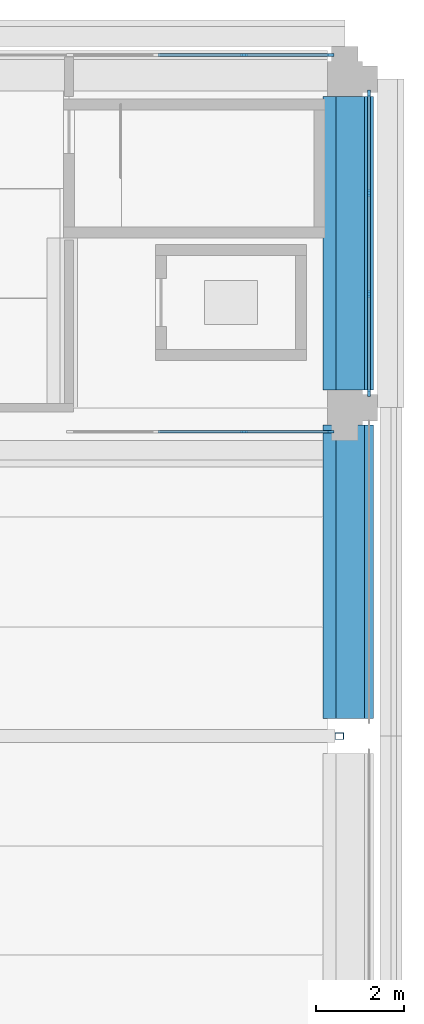
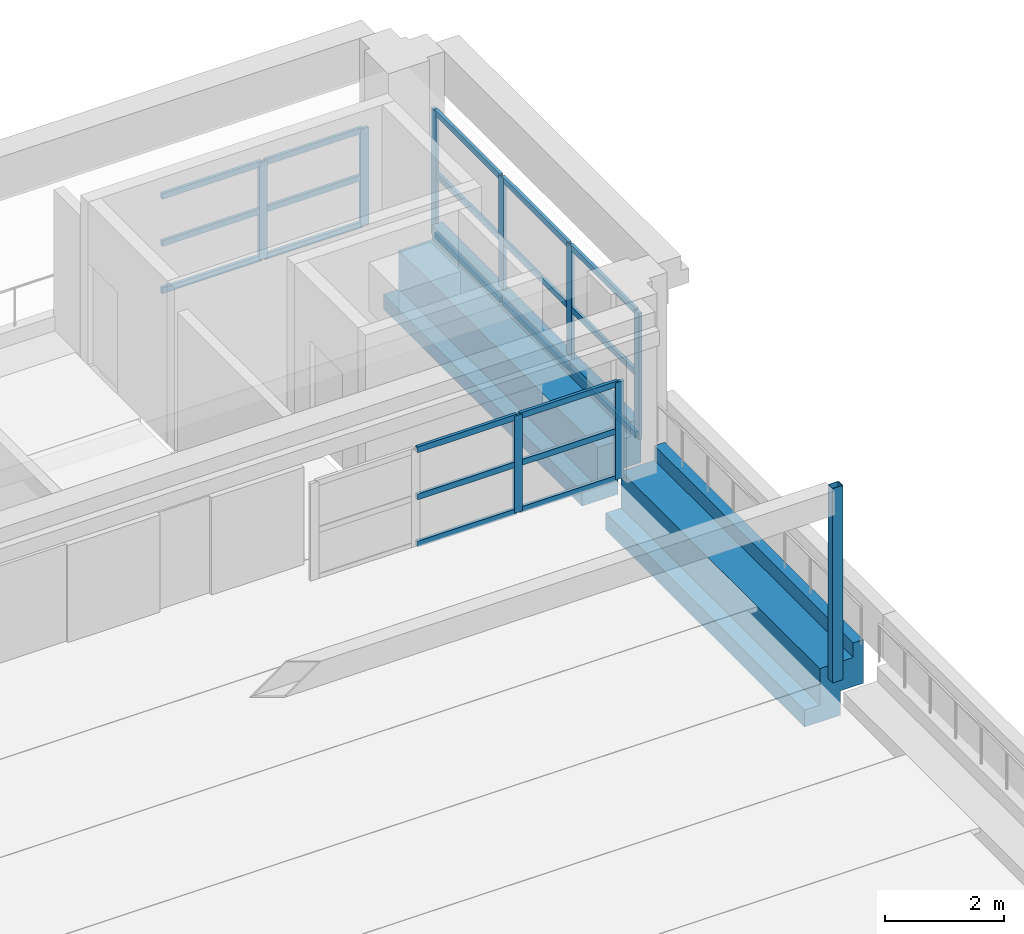
# One storey, part 33 of 62: 30 members, 2 beams, 3 elements without a shape of their own.
"""IFC4 building model written with IfcOpenShell, lengths in metres."""

from ifc_helpers import new_model, si_unit, direction, frame, origin, origin_2d, place, context, subcontext, project, spatial, polyline, rectangle, hollow_rectangle, outline, extrude, material, layer, layer_set, material_profile, profile_set, type_object, element, aggregate, save


model = new_model("IFC4")

# Units and contexts
model_context = context("Model", 3, precision=1e-05, world=origin(), true_north=direction((0.0, 1.0)))
body_context = subcontext(model_context, "Body", "Model", "MODEL_VIEW")
ifc_project = project(units=[si_unit("LENGTHUNIT", "METRE"), si_unit("AREAUNIT", "SQUARE_METRE"), si_unit("VOLUMEUNIT", "CUBIC_METRE"), si_unit("PLANEANGLEUNIT", "RADIAN"), si_unit("MASSUNIT", "GRAM", prefix="KILO")], contexts=[model_context])

# Site, building, storey
site_placement = place(None, origin())
site = spatial("IfcSite", under=ifc_project, at=site_placement, CompositionType="ELEMENT")
building_placement = place(site_placement, origin())
building = spatial("IfcBuilding", under=site, at=building_placement, Name="Cour d'Honneur Mobility Palace", CompositionType="ELEMENT")
storey_placement = place(building_placement, frame((0.0, 0.0, 19.300048828125)))
storey = spatial("IfcBuildingStorey", under=building, at=storey_placement, Name="L05", CompositionType="ELEMENT", Elevation=19.300048828125)

# Curtain wall, members
ifc_material_1 = material(Name="Aluminium and glass", Category="aluminium")
ifc_layer = layer(ifc_material_1, 0.10009765625)
ifc_layer_set = layer_set([ifc_layer], Name="Aluminium and glass")
curtain_wall_type = type_object("IfcCurtainWallType", Name="Curtain wall run", PredefinedType="NOTDEFINED", material=ifc_layer_set)
curtain_wall_1_placement = place(storey_placement, origin())
curtain_wall_1 = element("IfcCurtainWall", 1, at=curtain_wall_1_placement, inside=storey, type_object=curtain_wall_type, Name="Curtain wall CW-121", PredefinedType="NOTDEFINED")
ifc_material_2 = material(Name="Aluminium", Category="aluminium")
ifc_material_profile_1 = material_profile(ifc_material_2, rectangle(XDim=0.06005859375, YDim=0.159912109375, at=origin_2d()), Name="Curtain wall mullion")
ifc_profile_set_1 = profile_set([ifc_material_profile_1], Name="Aluminium")
member_type_1 = type_object("IfcMemberType", Name="Curtain wall mullion", PredefinedType="MULLION", material=ifc_profile_set_1)
member_1_placement = place(storey_placement, frame((161.969970703125, 115.449951171875, 0.0), z_axis=(0.0, 0.0, 1.0), x_axis=(0.0, -1.0, 0.0)))
member_1 = element("IfcMember", 2, at=member_1_placement, type_object=member_type_1, Name="CW-121 mullion 1", PredefinedType="MULLION", context=body_context, shape_type="SweptSolid", body=[
    extrude(rectangle(XDim=0.06005859375, YDim=0.159912109375, at=origin_2d()), origin(), (0.0, 0.0, 1.0), 2.0),
])
member_2_placement = place(storey_placement, frame((160.0, 115.449951171875, 0.0), z_axis=(0.0, 0.0, 1.0), x_axis=(0.0, -1.0, 0.0)))
member_2 = element("IfcMember", 3, at=member_2_placement, type_object=member_type_1, Name="CW-121 mullion 2", PredefinedType="MULLION", context=body_context, shape_type="SweptSolid", body=[
    extrude(rectangle(XDim=0.06005859375, YDim=0.159912109375, at=origin_2d()), origin(), (0.0, 0.0, 1.0), 2.0),
])

curtain_wall_2_placement = place(storey_placement, origin())
curtain_wall_2 = element("IfcCurtainWall", 4, at=curtain_wall_2_placement, inside=storey, type_object=curtain_wall_type, Name="Curtain wall CW-122", PredefinedType="NOTDEFINED")
member_3_placement = place(storey_placement, frame((160.0, 106.85009765625, 0.0), z_axis=(0.0, 0.0, 1.0), x_axis=(0.0, 1.0, 0.0)))
member_3 = element("IfcMember", 5, at=member_3_placement, type_object=member_type_1, Name="CW-122 mullion 3", PredefinedType="MULLION", context=body_context, shape_type="SweptSolid", body=[
    extrude(rectangle(XDim=0.06005859375, YDim=0.159912109375, at=origin_2d()), origin(), (0.0, 0.0, 1.0), 2.0),
])
member_4_placement = place(storey_placement, frame((161.969970703125, 106.85009765625, 0.0), z_axis=(0.0, 0.0, 1.0), x_axis=(0.0, 1.0, 0.0)))
member_4 = element("IfcMember", 6, at=member_4_placement, type_object=member_type_1, Name="CW-122 mullion 4", PredefinedType="MULLION", context=body_context, shape_type="SweptSolid", body=[
    extrude(rectangle(XDim=0.06005859375, YDim=0.159912109375, at=origin_2d()), origin(), (0.0, 0.0, 1.0), 2.0),
])

curtain_wall_3_placement = place(storey_placement, origin())
curtain_wall_3 = element("IfcCurtainWall", 7, at=curtain_wall_3_placement, inside=storey, type_object=curtain_wall_type, Name="Curtain wall CW-123", PredefinedType="NOTDEFINED")
member_5_placement = place(storey_placement, frame((162.85009765625, 107.72998046875, 0.0), z_axis=(0.0, 0.0, 1.0), x_axis=(-1.0, 0.0, 0.0)))
member_5 = element("IfcMember", 8, at=member_5_placement, type_object=member_type_1, Name="CW-123 mullion 1", PredefinedType="MULLION", context=body_context, shape_type="SweptSolid", body=[
    extrude(rectangle(XDim=0.06005859375, YDim=0.159912109375, at=origin_2d()), origin(), (0.0, 0.0, 1.0), 2.599853515625),
])
member_6_placement = place(storey_placement, frame((162.85009765625, 110.0, 0.0), z_axis=(0.0, 0.0, 1.0), x_axis=(-1.0, 0.0, 0.0)))
member_6 = element("IfcMember", 9, at=member_6_placement, type_object=member_type_1, Name="CW-123 mullion 2", PredefinedType="MULLION", context=body_context, shape_type="SweptSolid", body=[
    extrude(rectangle(XDim=0.06005859375, YDim=0.159912109375, at=origin_2d()), origin(), (0.0, 0.0, 1.0), 2.599853515625),
])
member_7_placement = place(storey_placement, frame((162.85009765625, 112.300048828125, 0.0), z_axis=(0.0, 0.0, 1.0), x_axis=(-1.0, 0.0, 0.0)))
member_7 = element("IfcMember", 10, at=member_7_placement, type_object=member_type_1, Name="CW-123 mullion 3", PredefinedType="MULLION", context=body_context, shape_type="SweptSolid", body=[
    extrude(rectangle(XDim=0.06005859375, YDim=0.159912109375, at=origin_2d()), origin(), (0.0, 0.0, 1.0), 2.599853515625),
])
member_8_placement = place(storey_placement, frame((162.85009765625, 114.570068359375, 0.0), z_axis=(0.0, 0.0, 1.0), x_axis=(-1.0, 0.0, 0.0)))
member_8 = element("IfcMember", 11, at=member_8_placement, type_object=member_type_1, Name="CW-123 mullion 4", PredefinedType="MULLION", context=body_context, shape_type="SweptSolid", body=[
    extrude(rectangle(XDim=0.06005859375, YDim=0.159912109375, at=origin_2d()), origin(), (0.0, 0.0, 1.0), 2.599853515625),
])

# Member
ifc_material_3 = material(Name="Aluminium", Category="aluminium")
ifc_material_profile_2 = material_profile(ifc_material_3, rectangle(XDim=0.06005859375, YDim=0.1201171875, at=origin_2d()), Name="Curtain wall transom")
ifc_profile_set_2 = profile_set([ifc_material_profile_2], Name="Aluminium")
member_type_2 = type_object("IfcMemberType", Name="Curtain wall transom", PredefinedType="USERDEFINED", material=ifc_profile_set_2)
member_9_placement = place(storey_placement, frame((161.93994140625, 115.449951171875, 0.030029296875), z_axis=(-1.0, 0.0, 0.0), x_axis=(0.0, -1.0, 0.0)))
member_9 = element("IfcMember", 12, at=member_9_placement, type_object=member_type_2, Name="CW-121 transom 1.1", ObjectType="TRANSOM", PredefinedType="USERDEFINED", context=body_context, shape_type="SweptSolid", body=[
    extrude(rectangle(XDim=0.06005859375, YDim=0.1201171875, at=origin_2d()), origin(), (0.0, 0.0, 1.0), 1.909912109375),
])

member_10_placement = place(storey_placement, frame((161.93994140625, 115.449951171875, 1.0), z_axis=(-1.0, 0.0, 0.0), x_axis=(0.0, -1.0, 0.0)))
member_10 = element("IfcMember", 13, at=member_10_placement, type_object=member_type_2, Name="CW-121 transom 1.2", ObjectType="TRANSOM", PredefinedType="USERDEFINED", context=body_context, shape_type="SweptSolid", body=[
    extrude(rectangle(XDim=0.06005859375, YDim=0.1201171875, at=origin_2d()), origin(), (0.0, 0.0, 1.0), 1.909912109375),
])

member_11_placement = place(storey_placement, frame((161.93994140625, 115.449951171875, 1.969970703125), z_axis=(-1.0, 0.0, 0.0), x_axis=(0.0, -1.0, 0.0)))
member_11 = element("IfcMember", 14, at=member_11_placement, type_object=member_type_2, Name="CW-121 transom 1.3", ObjectType="TRANSOM", PredefinedType="USERDEFINED", context=body_context, shape_type="SweptSolid", body=[
    extrude(rectangle(XDim=0.06005859375, YDim=0.1201171875, at=origin_2d()), origin(), (0.0, 0.0, 1.0), 1.909912109375),
])

member_12_placement = place(storey_placement, frame((159.969970703125, 115.449951171875, 0.030029296875), z_axis=(-1.0, 0.0, 0.0), x_axis=(0.0, -1.0, 0.0)))
member_12 = element("IfcMember", 15, at=member_12_placement, type_object=member_type_2, Name="CW-121 transom 2.1", ObjectType="TRANSOM", PredefinedType="USERDEFINED", context=body_context, shape_type="SweptSolid", body=[
    extrude(rectangle(XDim=0.06005859375, YDim=0.1201171875, at=origin_2d()), origin(), (0.0, 0.0, 1.0), 1.93994140625),
])

member_13_placement = place(storey_placement, frame((159.969970703125, 115.449951171875, 1.0), z_axis=(-1.0, 0.0, 0.0), x_axis=(0.0, -1.0, 0.0)))
member_13 = element("IfcMember", 16, at=member_13_placement, type_object=member_type_2, Name="CW-121 transom 2.2", ObjectType="TRANSOM", PredefinedType="USERDEFINED", context=body_context, shape_type="SweptSolid", body=[
    extrude(rectangle(XDim=0.06005859375, YDim=0.1201171875, at=origin_2d()), origin(), (0.0, 0.0, 1.0), 1.93994140625),
])

member_14_placement = place(storey_placement, frame((159.969970703125, 115.449951171875, 1.969970703125), z_axis=(-1.0, 0.0, 0.0), x_axis=(0.0, -1.0, 0.0)))
member_14 = element("IfcMember", 17, at=member_14_placement, type_object=member_type_2, Name="CW-121 transom 2.3", ObjectType="TRANSOM", PredefinedType="USERDEFINED", context=body_context, shape_type="SweptSolid", body=[
    extrude(rectangle(XDim=0.06005859375, YDim=0.1201171875, at=origin_2d()), origin(), (0.0, 0.0, 1.0), 1.93994140625),
])

aggregate(curtain_wall_1, [member_1, member_2, member_9, member_10, member_11, member_12, member_13, member_14])

member_15_placement = place(storey_placement, frame((158.030029296875, 106.85009765625, 0.030029296875), z_axis=(1.0, 0.0, 0.0), x_axis=(0.0, 1.0, 0.0)))
member_15 = element("IfcMember", 18, at=member_15_placement, type_object=member_type_2, Name="CW-122 transom 2.1", ObjectType="TRANSOM", PredefinedType="USERDEFINED", context=body_context, shape_type="SweptSolid", body=[
    extrude(rectangle(XDim=0.06005859375, YDim=0.1201171875, at=origin_2d()), origin(), (0.0, 0.0, 1.0), 1.93994140625),
])

member_16_placement = place(storey_placement, frame((158.030029296875, 106.85009765625, 1.0), z_axis=(1.0, 0.0, 0.0), x_axis=(0.0, 1.0, 0.0)))
member_16 = element("IfcMember", 19, at=member_16_placement, type_object=member_type_2, Name="CW-122 transom 2.2", ObjectType="TRANSOM", PredefinedType="USERDEFINED", context=body_context, shape_type="SweptSolid", body=[
    extrude(rectangle(XDim=0.06005859375, YDim=0.1201171875, at=origin_2d()), origin(), (0.0, 0.0, 1.0), 1.93994140625),
])

member_17_placement = place(storey_placement, frame((158.030029296875, 106.85009765625, 1.969970703125), z_axis=(1.0, 0.0, 0.0), x_axis=(0.0, 1.0, 0.0)))
member_17 = element("IfcMember", 20, at=member_17_placement, type_object=member_type_2, Name="CW-122 transom 2.3", ObjectType="TRANSOM", PredefinedType="USERDEFINED", context=body_context, shape_type="SweptSolid", body=[
    extrude(rectangle(XDim=0.06005859375, YDim=0.1201171875, at=origin_2d()), origin(), (0.0, 0.0, 1.0), 1.93994140625),
])

member_18_placement = place(storey_placement, frame((160.030029296875, 106.85009765625, 0.030029296875), z_axis=(1.0, 0.0, 0.0), x_axis=(0.0, 1.0, 0.0)))
member_18 = element("IfcMember", 21, at=member_18_placement, type_object=member_type_2, Name="CW-122 transom 3.1", ObjectType="TRANSOM", PredefinedType="USERDEFINED", context=body_context, shape_type="SweptSolid", body=[
    extrude(rectangle(XDim=0.06005859375, YDim=0.1201171875, at=origin_2d()), origin(), (0.0, 0.0, 1.0), 1.909912109375),
])

member_19_placement = place(storey_placement, frame((160.030029296875, 106.85009765625, 1.0), z_axis=(1.0, 0.0, 0.0), x_axis=(0.0, 1.0, 0.0)))
member_19 = element("IfcMember", 22, at=member_19_placement, type_object=member_type_2, Name="CW-122 transom 3.2", ObjectType="TRANSOM", PredefinedType="USERDEFINED", context=body_context, shape_type="SweptSolid", body=[
    extrude(rectangle(XDim=0.06005859375, YDim=0.1201171875, at=origin_2d()), origin(), (0.0, 0.0, 1.0), 1.909912109375),
])

member_20_placement = place(storey_placement, frame((160.030029296875, 106.85009765625, 1.969970703125), z_axis=(1.0, 0.0, 0.0), x_axis=(0.0, 1.0, 0.0)))
member_20 = element("IfcMember", 23, at=member_20_placement, type_object=member_type_2, Name="CW-122 transom 3.3", ObjectType="TRANSOM", PredefinedType="USERDEFINED", context=body_context, shape_type="SweptSolid", body=[
    extrude(rectangle(XDim=0.06005859375, YDim=0.1201171875, at=origin_2d()), origin(), (0.0, 0.0, 1.0), 1.909912109375),
])

aggregate(curtain_wall_2, [member_3, member_4, member_15, member_16, member_17, member_18, member_19, member_20])

member_21_placement = place(storey_placement, frame((162.85009765625, 107.760009765625, 0.030029296875), z_axis=(0.0, 1.0, 0.0), x_axis=(-1.0, 0.0, 0.0)))
member_21 = element("IfcMember", 24, at=member_21_placement, type_object=member_type_2, Name="CW-123 transom 1.1", ObjectType="TRANSOM", PredefinedType="USERDEFINED", context=body_context, shape_type="SweptSolid", body=[
    extrude(rectangle(XDim=0.06005859375, YDim=0.1201171875, at=origin_2d()), origin(), (0.0, 0.0, 1.0), 2.2099609375),
])

member_22_placement = place(storey_placement, frame((162.85009765625, 107.760009765625, 1.300048828125), z_axis=(0.0, 1.0, 0.0), x_axis=(-1.0, 0.0, 0.0)))
member_22 = element("IfcMember", 25, at=member_22_placement, type_object=member_type_2, Name="CW-123 transom 1.2", ObjectType="TRANSOM", PredefinedType="USERDEFINED", context=body_context, shape_type="SweptSolid", body=[
    extrude(rectangle(XDim=0.06005859375, YDim=0.1201171875, at=origin_2d()), origin(), (0.0, 0.0, 1.0), 2.2099609375),
])

member_23_placement = place(storey_placement, frame((162.85009765625, 107.760009765625, 2.570068359375), z_axis=(0.0, 1.0, 0.0), x_axis=(-1.0, 0.0, 0.0)))
member_23 = element("IfcMember", 26, at=member_23_placement, type_object=member_type_2, Name="CW-123 transom 1.3", ObjectType="TRANSOM", PredefinedType="USERDEFINED", context=body_context, shape_type="SweptSolid", body=[
    extrude(rectangle(XDim=0.06005859375, YDim=0.1201171875, at=origin_2d()), origin(), (0.0, 0.0, 1.0), 2.2099609375),
])

member_24_placement = place(storey_placement, frame((162.85009765625, 110.030029296875, 0.030029296875), z_axis=(0.0, 1.0, 0.0), x_axis=(-1.0, 0.0, 0.0)))
member_24 = element("IfcMember", 27, at=member_24_placement, type_object=member_type_2, Name="CW-123 transom 2.1", ObjectType="TRANSOM", PredefinedType="USERDEFINED", context=body_context, shape_type="SweptSolid", body=[
    extrude(rectangle(XDim=0.06005859375, YDim=0.1201171875, at=origin_2d()), origin(), (0.0, 0.0, 1.0), 2.239990234375),
])

member_25_placement = place(storey_placement, frame((162.85009765625, 110.030029296875, 1.300048828125), z_axis=(0.0, 1.0, 0.0), x_axis=(-1.0, 0.0, 0.0)))
member_25 = element("IfcMember", 28, at=member_25_placement, type_object=member_type_2, Name="CW-123 transom 2.2", ObjectType="TRANSOM", PredefinedType="USERDEFINED", context=body_context, shape_type="SweptSolid", body=[
    extrude(rectangle(XDim=0.06005859375, YDim=0.1201171875, at=origin_2d()), origin(), (0.0, 0.0, 1.0), 2.239990234375),
])

member_26_placement = place(storey_placement, frame((162.85009765625, 110.030029296875, 2.570068359375), z_axis=(0.0, 1.0, 0.0), x_axis=(-1.0, 0.0, 0.0)))
member_26 = element("IfcMember", 29, at=member_26_placement, type_object=member_type_2, Name="CW-123 transom 2.3", ObjectType="TRANSOM", PredefinedType="USERDEFINED", context=body_context, shape_type="SweptSolid", body=[
    extrude(rectangle(XDim=0.06005859375, YDim=0.1201171875, at=origin_2d()), origin(), (0.0, 0.0, 1.0), 2.239990234375),
])

member_27_placement = place(storey_placement, frame((162.85009765625, 112.330078125, 0.030029296875), z_axis=(0.0, 1.0, 0.0), x_axis=(-1.0, 0.0, 0.0)))
member_27 = element("IfcMember", 30, at=member_27_placement, type_object=member_type_2, Name="CW-123 transom 3.1", ObjectType="TRANSOM", PredefinedType="USERDEFINED", context=body_context, shape_type="SweptSolid", body=[
    extrude(rectangle(XDim=0.06005859375, YDim=0.1201171875, at=origin_2d()), origin(), (0.0, 0.0, 1.0), 2.2099609375),
])

member_28_placement = place(storey_placement, frame((162.85009765625, 112.330078125, 1.300048828125), z_axis=(0.0, 1.0, 0.0), x_axis=(-1.0, 0.0, 0.0)))
member_28 = element("IfcMember", 31, at=member_28_placement, type_object=member_type_2, Name="CW-123 transom 3.2", ObjectType="TRANSOM", PredefinedType="USERDEFINED", context=body_context, shape_type="SweptSolid", body=[
    extrude(rectangle(XDim=0.06005859375, YDim=0.1201171875, at=origin_2d()), origin(), (0.0, 0.0, 1.0), 2.2099609375),
])

member_29_placement = place(storey_placement, frame((162.85009765625, 112.330078125, 2.570068359375), z_axis=(0.0, 1.0, 0.0), x_axis=(-1.0, 0.0, 0.0)))
member_29 = element("IfcMember", 32, at=member_29_placement, type_object=member_type_2, Name="CW-123 transom 3.3", ObjectType="TRANSOM", PredefinedType="USERDEFINED", context=body_context, shape_type="SweptSolid", body=[
    extrude(rectangle(XDim=0.06005859375, YDim=0.1201171875, at=origin_2d()), origin(), (0.0, 0.0, 1.0), 2.2099609375),
])

aggregate(curtain_wall_3, [member_5, member_6, member_7, member_8, member_21, member_22, member_23, member_24, member_25, member_26, member_27, member_28, member_29])

# Beams
ifc_material_4 = material(Name="Concrete C45", Category="concrete")
ifc_material_profile_3 = material_profile(ifc_material_4, outline(polyline([(0.5, -1.10009765625), (0.5, -0.800048828125), (0.199951171875, -0.800048828125), (0.199951171875, 0.0), (-0.199951171875, 0.0), (-0.449951171875, 0.0), (-0.449951171875, 0.300048828125), (-0.64990234375, 0.300048828125), (-0.64990234375, -0.60009765625), (-0.199951171875, -0.60009765625), (-0.199951171875, -1.10009765625), (0.5, -1.10009765625)])), Name="Ledger Beam 400x1100 ledge left 300 facade right")
ifc_profile_set_3 = profile_set([ifc_material_profile_3], Name="Concrete C45")
beam_type_1 = type_object("IfcBeamType", Name="Ledger Beam 400x1100 ledge left 300 facade right", PredefinedType="BEAM", material=ifc_profile_set_3)
beam_1_placement = place(storey_placement, frame((162.300048828125, 107.800048828125, 0.0), z_axis=(0.0, 1.0, 0.0), x_axis=(-1.0, 0.0, 0.0)))
element("IfcBeam", 33, at=beam_1_placement, inside=storey, type_object=beam_type_1, Name="Precast beam B3 P-Q L05", PredefinedType="BEAM", context=body_context, shape_type="SweptSolid", body=[
    extrude(outline(polyline([(0.5, -1.10009765625), (0.5, -0.800048828125), (0.199951171875, -0.800048828125), (0.199951171875, 0.0), (-0.199951171875, 0.0), (-0.449951171875, 0.0), (-0.449951171875, 0.300048828125), (-0.64990234375, 0.300048828125), (-0.64990234375, -0.60009765625), (-0.199951171875, -0.60009765625), (-0.199951171875, -1.10009765625), (0.5, -1.10009765625)])), origin(), (0.0, 0.0, 1.0), 6.699951171875),
])
ifc_material_5 = material(Name="Concrete C45", Category="concrete")
ifc_material_profile_4 = material_profile(ifc_material_5, outline(polyline([(0.5, -1.10009765625), (0.5, -0.75), (0.199951171875, -0.75), (0.199951171875, 0.0), (-0.199951171875, 0.0), (-0.449951171875, 0.0), (-0.449951171875, 0.300048828125), (-0.64990234375, 0.300048828125), (-0.64990234375, -0.60009765625), (-0.199951171875, -0.60009765625), (-0.199951171875, -1.10009765625), (0.5, -1.10009765625)])), Name="Ledger Beam 400x1100 ledge left 350 facade right")
ifc_profile_set_4 = profile_set([ifc_material_profile_4], Name="Concrete C45")
beam_type_2 = type_object("IfcBeamType", Name="Ledger Beam 400x1100 ledge left 350 facade right", PredefinedType="BEAM", material=ifc_profile_set_4)
beam_2_placement = place(storey_placement, frame((162.300048828125, 100.300048828125, 0.0), z_axis=(0.0, 1.0, 0.0), x_axis=(-1.0, 0.0, 0.0)))
element("IfcBeam", 34, at=beam_2_placement, inside=storey, type_object=beam_type_2, Name="Precast beam B2 N-P L05", PredefinedType="BEAM", context=body_context, shape_type="SweptSolid", body=[
    extrude(outline(polyline([(0.5, -1.10009765625), (0.5, -0.75), (0.199951171875, -0.75), (0.199951171875, 0.0), (-0.199951171875, 0.0), (-0.449951171875, 0.0), (-0.449951171875, 0.300048828125), (-0.64990234375, 0.300048828125), (-0.64990234375, -0.60009765625), (-0.199951171875, -0.60009765625), (-0.199951171875, -1.10009765625), (0.5, -1.10009765625)])), origin(), (0.0, 0.0, 1.0), 6.699951171875),
])

# Member
ifc_material_6 = material(Name="Steel S355", Category="steel")
ifc_material_profile_5 = material_profile(ifc_material_6, hollow_rectangle(XDim=0.14990234375, YDim=0.199951171875, WallThickness=0.008056640625, at=origin_2d()), Name="RHS 200x150x8")
ifc_profile_set_5 = profile_set([ifc_material_profile_5], Name="Steel S355")
member_type_3 = type_object("IfcMemberType", Name="Terrace post RHS 200x150x8", PredefinedType="POST", material=ifc_profile_set_5)
member_30_placement = place(storey_placement, frame((162.175048828125, 99.89990234375, 0.0), z_axis=(0.0, 0.0, 1.0), x_axis=(0.0, 1.0, 0.0)))
element("IfcMember", 35, at=member_30_placement, inside=storey, type_object=member_type_3, Name="Terrace post TP-S5E", PredefinedType="POST", context=body_context, shape_type="SweptSolid", body=[
    extrude(hollow_rectangle(XDim=0.14990234375, YDim=0.199951171875, WallThickness=0.008056640625, at=origin_2d()), origin(), (0.0, 0.0, 1.0), 4.0),
])

save(model, "model.ifc")
